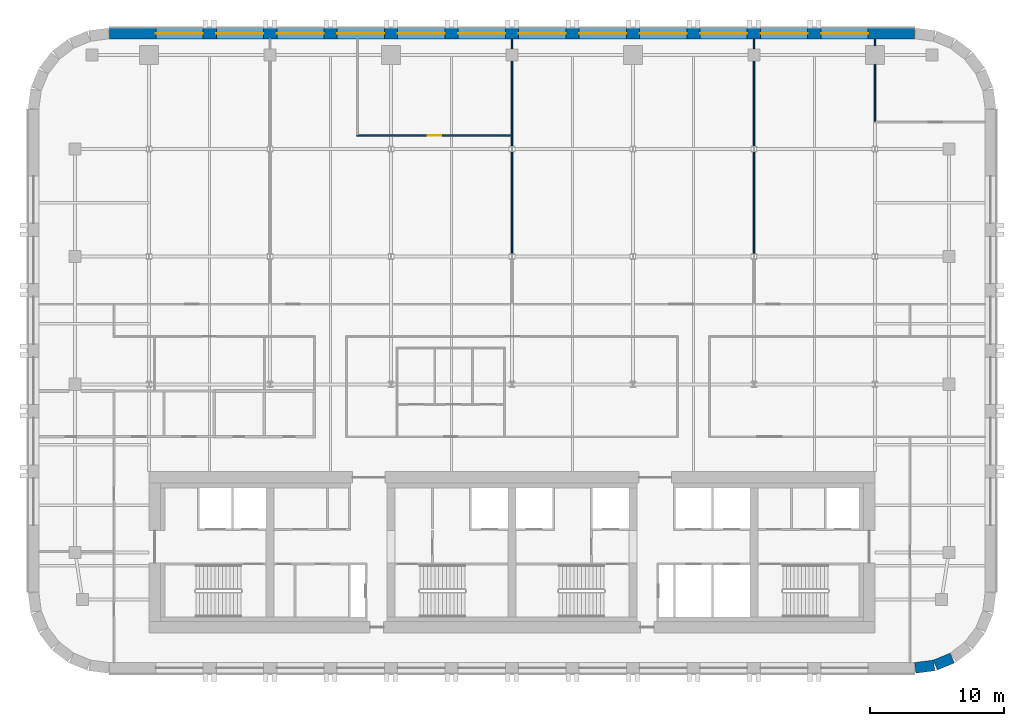
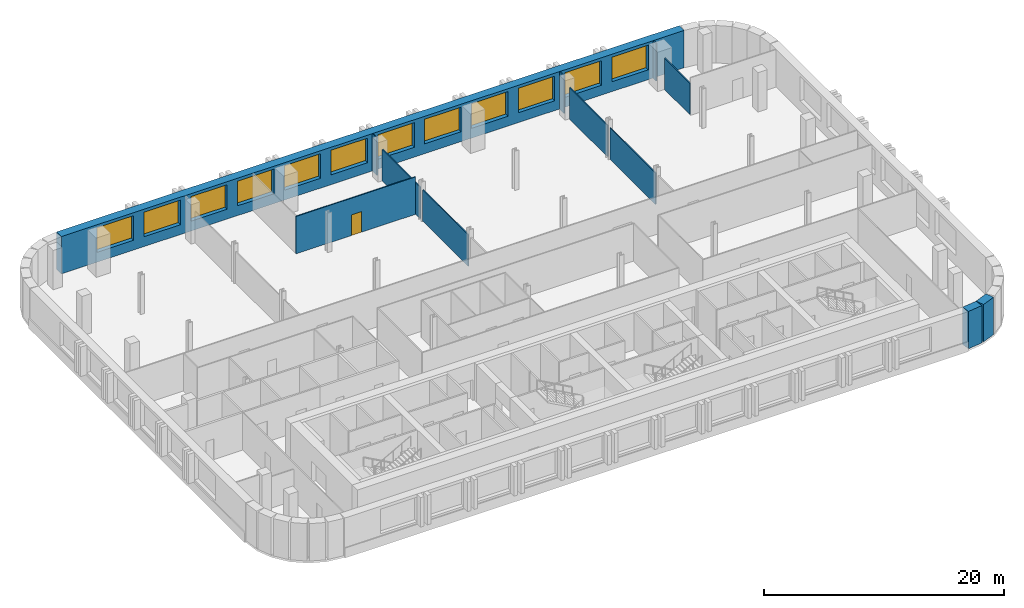
# One storey, part 7 of 10: 12 walls, 12 windows, 1 door, 13 openings.
"""IFC4 building model written with IfcOpenShell, lengths in metres."""

import ifcopenshell
import ifcopenshell.guid

model = None  # the IFC model being written
_history = None  # IfcOwnerHistory: only IFC2X3 demands one
_inside = {}  # id of a spatial element -> (the spatial element, [elements in it])
_under = {}  # id of a project, library or spatial element -> (it, [spatial elements below it])
_declared = {}  # id of a project -> (the project, [libraries it declares])
_typed = {}  # id of a type object -> (the type object, [elements of that type])
_made_of = {}  # id of a material, layer set ... -> (it, [elements and type objects made of it])


def new_model(schema):
    """Start an empty IFC model of exactly this schema.

    Asked for "IFC4X3", IfcOpenShell would pick the latest addendum, in which some entities
    have other attributes; the version numbers below select the first issue.
    IFC2X3 requires an IfcOwnerHistory on every rooted entity: one is made here for all.
    """
    global model, _history
    if schema == "IFC4X3":
        model = ifcopenshell.file(schema_version=(4, 3, 0, 0))
    else:
        model = ifcopenshell.file(schema=schema)
    _inside.clear()
    _under.clear()
    _declared.clear()
    _typed.clear()
    _made_of.clear()
    _history = None
    if model.schema == "IFC2X3":
        org = make("IfcOrganization", Name="unknown")
        user = make(
            "IfcPersonAndOrganization",
            ThePerson=make("IfcPerson", FamilyName="unknown"),
            TheOrganization=org,
        )
        app = make(
            "IfcApplication",
            ApplicationDeveloper=org,
            Version="unknown",
            ApplicationFullName="unknown",
            ApplicationIdentifier="unknown",
        )
        _history = make(
            "IfcOwnerHistory",
            OwningUser=user,
            OwningApplication=app,
            ChangeAction="ADDED",
            CreationDate=0,
        )
    return model


def make(cls, **values):
    """One entity of the class cls with the attributes given. An attribute that is None is left unset."""
    return model.create_entity(
        cls, **{name: value for name, value in values.items() if value is not None}
    )


def rooted(cls, **values):
    """An entity with a GlobalId (a new one), such as an element, a storey or a relation."""
    return make(cls, GlobalId=ifcopenshell.guid.new(), OwnerHistory=_history, **values)


def si_unit(unit_type, name, prefix=None):
    """IfcSIUnit, for example si_unit("LENGTHUNIT", "METRE", prefix="MILLI")."""
    return make("IfcSIUnit", UnitType=unit_type, Prefix=prefix, Name=name)


def assignment(units):
    """IfcUnitAssignment: the units of a project."""
    return None if units is None else make("IfcUnitAssignment", Units=units)


def point(xyz):
    """IfcCartesianPoint."""
    return None if xyz is None else make("IfcCartesianPoint", Coordinates=xyz)


def direction(xyz):
    """IfcDirection."""
    return None if xyz is None else make("IfcDirection", DirectionRatios=xyz)


def frame(location, z_axis=None, x_axis=None):
    """IfcAxis2Placement3D, a coordinate frame: its origin and axes. An axis left out is left unset."""
    return make(
        "IfcAxis2Placement3D",
        Location=point(location),
        Axis=direction(z_axis),
        RefDirection=direction(x_axis),
    )


def frame_2d(location, x_axis=None):
    """IfcAxis2Placement2D, a coordinate frame in the plane: its origin and x axis."""
    return make(
        "IfcAxis2Placement2D", Location=point(location), RefDirection=direction(x_axis)
    )


def origin():
    """The frame at (0, 0, 0) with its axes left unset."""
    return frame((0.0, 0.0, 0.0))


def place(relative_to, where):
    """IfcLocalPlacement: puts the frame where relative to a parent placement (None: the world)."""
    return make(
        "IfcLocalPlacement", PlacementRelTo=relative_to, RelativePlacement=where
    )


def context(
    kind, dimensions, precision=None, world=None, true_north=None, identifier=None
):
    """IfcGeometricRepresentationContext, for example the 3D "Model" context."""
    return make(
        "IfcGeometricRepresentationContext",
        ContextIdentifier=identifier,
        ContextType=kind,
        CoordinateSpaceDimension=dimensions,
        Precision=precision,
        WorldCoordinateSystem=world,
        TrueNorth=true_north,
    )


def subcontext(parent, identifier, kind, view, scale=None):
    """IfcGeometricRepresentationSubContext, for example "Body" below "Model"."""
    return make(
        "IfcGeometricRepresentationSubContext",
        ContextIdentifier=identifier,
        ContextType=kind,
        ParentContext=parent,
        TargetScale=scale,
        TargetView=view,
    )


def project(units=None, contexts=None):
    """IfcProject with its units and contexts."""
    return rooted(
        "IfcProject",
        Name="project",
        RepresentationContexts=contexts,
        UnitsInContext=assignment(units),
    )


def spatial(cls, under=None, at=None, **own):
    """A site, building, storey or space (cls), placed at a placement, below another one or the project."""
    s = rooted(cls, ObjectPlacement=at, **own)
    if under is not None:
        _under.setdefault(under.id(), (under, []))[1].append(s)
    return s


def profile(cls, at=None, kind="AREA", **sizes):
    """A parametric profile (cls). Its sizes go by their IFC names, for example OverallWidth=200.0."""
    return make(cls, ProfileType=kind, Position=at, **sizes)


def rectangle(**sizes):
    """IfcRectangleProfileDef."""
    return profile("IfcRectangleProfileDef", **sizes)


def extrude(swept, where, along, depth):
    """IfcExtrudedAreaSolid: the profile swept, set in the frame where, extruded along a direction by depth."""
    return make(
        "IfcExtrudedAreaSolid",
        SweptArea=swept,
        Position=where,
        ExtrudedDirection=direction(along),
        Depth=depth,
    )


def shape(context_of_items, identifier, shape_type, items):
    """IfcShapeRepresentation: the items that make up one representation, for example the "Body"."""
    return make(
        "IfcShapeRepresentation",
        ContextOfItems=context_of_items,
        RepresentationIdentifier=identifier,
        RepresentationType=shape_type,
        Items=items,
    )


def material(Name=None, Category=None):
    """IfcMaterial."""
    return make("IfcMaterial", Name=Name, Category=Category)


def layer(
    of_material, thickness, ventilated=None, Name=None, Category=None, Priority=None
):
    """IfcMaterialLayer: one layer of a wall or slab, of a material (None: an air gap)."""
    return make(
        "IfcMaterialLayer",
        Material=of_material,
        LayerThickness=thickness,
        IsVentilated=ventilated,
        Name=Name,
        Category=Category,
        Priority=Priority,
    )


def layer_set(layers, Name=None):
    """IfcMaterialLayerSet."""
    return make("IfcMaterialLayerSet", MaterialLayers=layers, LayerSetName=Name)


def made_of(thing, what):
    """Note that an element or type object is made of a material, layer set ...; save() writes the relation."""
    if what is not None:
        _made_of.setdefault(what.id(), (what, []))[1].append(thing)
    return thing


def type_object(cls, material=None, **own):
    """A type object (cls), such as IfcWallType, which elements share."""
    return made_of(rooted(cls, **own), material)


def element(
    cls,
    number,
    at=None,
    inside=None,
    cuts=None,
    type_object=None,
    material=None,
    context=None,
    identifier="Body",
    shape_type=None,
    held_by="IfcProductDefinitionShape",
    body=None,
    shapes=None,
    **own,
):
    """One element of the class cls, such as IfcWall. Its Tag is "e" and its number.

    at: its placement. inside: the storey or other place that contains it. cuts: it is an
    opening in that element (IfcRelVoidsElement). A single representation is given by context,
    identifier, shape_type and body (its items); several are given by shapes. held_by: the class
    of the entity that holds the representations. save() writes the other relations.
    """
    e = rooted(cls, Tag="e%d" % number, ObjectPlacement=at, **own)
    if body is not None:
        shapes = [shape(context, identifier, shape_type, body)]
    if shapes is not None:
        e.Representation = make(held_by, Representations=shapes)
    if inside is not None:
        _inside.setdefault(inside.id(), (inside, []))[1].append(e)
    if cuts is not None:
        rooted(
            "IfcRelVoidsElement", RelatingBuildingElement=cuts, RelatedOpeningElement=e
        )
    if type_object is not None:
        _typed.setdefault(type_object.id(), (type_object, []))[1].append(e)
    return made_of(e, material)


def fill(opening, filler):
    """IfcRelFillsElement: the door or window that sits in an opening."""
    return rooted(
        "IfcRelFillsElement",
        RelatingOpeningElement=opening,
        RelatedBuildingElement=filler,
    )


def aggregate(whole, parts):
    """IfcRelAggregates: a whole, such as a stair, and the parts it consists of."""
    return rooted("IfcRelAggregates", RelatingObject=whole, RelatedObjects=parts)


def save(model, path):
    """Write the relations noted so far, then the file.

    IfcRelAggregates (storeys below a building ...), IfcRelContainedInSpatialStructure (elements
    in a storey), IfcRelDefinesByType, IfcRelAssociatesMaterial and IfcRelDeclares: one each for
    every whole, place, type object, material and project.
    """
    for whole, parts in _under.values():
        aggregate(whole, parts)
    for where, things in _inside.values():
        rooted(
            "IfcRelContainedInSpatialStructure",
            RelatedElements=things,
            RelatingStructure=where,
        )
    for kind, things in _typed.values():
        rooted("IfcRelDefinesByType", RelatedObjects=things, RelatingType=kind)
    for what, things in _made_of.values():
        rooted("IfcRelAssociatesMaterial", RelatedObjects=things, RelatingMaterial=what)
    for by, libraries in _declared.values():
        rooted("IfcRelDeclares", RelatingContext=by, RelatedDefinitions=libraries)
    model.write(path)


model = new_model("IFC4")

# Units and contexts
model_context = context("Model", 3, precision=1e-05, world=origin(), true_north=direction((0.0, 1.0)))
body_context = subcontext(model_context, "Body", "Model", "MODEL_VIEW")
ifc_project = project(units=[si_unit("LENGTHUNIT", "METRE"), si_unit("AREAUNIT", "SQUARE_METRE"), si_unit("VOLUMEUNIT", "CUBIC_METRE"), si_unit("PLANEANGLEUNIT", "RADIAN"), si_unit("MASSUNIT", "GRAM", prefix="KILO")], contexts=[model_context])

# Site, building, storey
site_placement = place(None, origin())
site = spatial("IfcSite", under=ifc_project, at=site_placement, CompositionType="ELEMENT")
building_placement = place(site_placement, origin())
building = spatial("IfcBuilding", under=site, at=building_placement, Name="Zellij Exchange Tower", CompositionType="ELEMENT")
storey_placement = place(building_placement, frame((0.0, 0.0, 192.5)))
storey = spatial("IfcBuildingStorey", under=building, at=storey_placement, Name="L44", CompositionType="ELEMENT", Elevation=192.5)

# Walls
ifc_material_1 = material(Name="Precast concrete C40/50", Category="concrete")
ifc_layer_1 = layer(ifc_material_1, 0.800048828125)
ifc_layer_set_1 = layer_set([ifc_layer_1], Name="Precast concrete C40/50")
wall_type_1 = type_object("IfcWallType", Name="ENV-EW1 Precast stone-piered wall 800", PredefinedType="SOLIDWALL", material=ifc_layer_set_1)
wall_1_placement = place(storey_placement, frame((29.999755859375, -16.5966796875, 0.0), z_axis=(0.0, 0.0, 1.0), x_axis=(0.99144603414, 0.130517283865, 0.0)))
element("IfcWall", 1, at=wall_1_placement, inside=storey, type_object=wall_type_1, Name="fac.L44.01", PredefinedType="SOLIDWALL", context=body_context, shape_type="SweptSolid", body=[
    extrude(rectangle(XDim=1.408447265625, YDim=0.800048828125, at=frame_2d((0.7041015625, 0.0))), origin(), (0.0, 0.0, 1.0), 3.800048828125),
])
wall_2_placement = place(storey_placement, frame((31.497314453125, -16.3857421875, 0.0), z_axis=(0.0, 0.0, 1.0), x_axis=(0.923847774587, 0.38276009378, 0.0)))
element("IfcWall", 2, at=wall_2_placement, inside=storey, type_object=wall_type_1, Name="fac.L44.02", PredefinedType="SOLIDWALL", context=body_context, shape_type="SweptSolid", body=[
    extrude(rectangle(XDim=1.35546875, YDim=0.800048828125, at=frame_2d((0.677734375, 0.0))), origin(), (0.0, 0.0, 1.0), 3.800048828125),
])

# Wall, openings, windows
wall_3_placement = place(storey_placement, frame((29.947509765625, 30.60009765625, 0.0), z_axis=(0.0, 0.0, 1.0), x_axis=(-1.0, 0.0, 0.0)))
wall_3 = element("IfcWall", 3, at=wall_3_placement, inside=storey, type_object=wall_type_1, Name="fac.L44.14", PredefinedType="SOLIDWALL", context=body_context, shape_type="SweptSolid", body=[
    extrude(rectangle(XDim=59.89501953125, YDim=0.800048828125, at=frame_2d((29.947509765625, 0.0))), origin(), (0.0, 0.0, 1.0), 3.800048828125),
])
opening_1_placement = place(wall_3_placement, frame((3.447509765625, 0.0, 1.0)))
opening_1 = element("IfcOpeningElement", 4, at=opening_1_placement, cuts=wall_3, Name="Opening FZ3.19", PredefinedType="OPENING", context=body_context, shape_type="SweptSolid", body=[
    extrude(rectangle(XDim=3.5, YDim=2.5, at=frame_2d((1.75, 1.25))), frame((0.0, 0.412109375, 0.0), z_axis=(0.0, -1.0, 0.0), x_axis=(1.0, 0.0, 0.0)), (0.0, 0.0, 1.0), 0.823974609375),
])
opening_2_placement = place(wall_3_placement, frame((7.947509765625, 0.0, 1.0)))
opening_2 = element("IfcOpeningElement", 5, at=opening_2_placement, cuts=wall_3, Name="Opening FZ3.20", PredefinedType="OPENING", context=body_context, shape_type="SweptSolid", body=[
    extrude(rectangle(XDim=3.5, YDim=2.5, at=frame_2d((1.75, 1.25))), frame((0.0, 0.412109375, 0.0), z_axis=(0.0, -1.0, 0.0), x_axis=(1.0, 0.0, 0.0)), (0.0, 0.0, 1.0), 0.823974609375),
])
opening_3_placement = place(wall_3_placement, frame((12.447509765625, 0.0, 1.0)))
opening_3 = element("IfcOpeningElement", 6, at=opening_3_placement, cuts=wall_3, Name="Opening FZ3.21", PredefinedType="OPENING", context=body_context, shape_type="SweptSolid", body=[
    extrude(rectangle(XDim=3.5, YDim=2.5, at=frame_2d((1.75, 1.25))), frame((0.0, 0.412109375, 0.0), z_axis=(0.0, -1.0, 0.0), x_axis=(1.0, 0.0, 0.0)), (0.0, 0.0, 1.0), 0.823974609375),
])
opening_4_placement = place(wall_3_placement, frame((16.947509765625, 0.0, 1.0)))
opening_4 = element("IfcOpeningElement", 7, at=opening_4_placement, cuts=wall_3, Name="Opening FZ3.22", PredefinedType="OPENING", context=body_context, shape_type="SweptSolid", body=[
    extrude(rectangle(XDim=3.5, YDim=2.5, at=frame_2d((1.75, 1.25))), frame((0.0, 0.412109375, 0.0), z_axis=(0.0, -1.0, 0.0), x_axis=(1.0, 0.0, 0.0)), (0.0, 0.0, 1.0), 0.823974609375),
])
opening_5_placement = place(wall_3_placement, frame((21.447509765625, 0.0, 1.0)))
opening_5 = element("IfcOpeningElement", 8, at=opening_5_placement, cuts=wall_3, Name="Opening FZ3.23", PredefinedType="OPENING", context=body_context, shape_type="SweptSolid", body=[
    extrude(rectangle(XDim=3.5, YDim=2.5, at=frame_2d((1.75, 1.25))), frame((0.0, 0.412109375, 0.0), z_axis=(0.0, -1.0, 0.0), x_axis=(1.0, 0.0, 0.0)), (0.0, 0.0, 1.0), 0.823974609375),
])
opening_6_placement = place(wall_3_placement, frame((25.947509765625, 0.0, 1.0)))
opening_6 = element("IfcOpeningElement", 9, at=opening_6_placement, cuts=wall_3, Name="Opening FZ3.24", PredefinedType="OPENING", context=body_context, shape_type="SweptSolid", body=[
    extrude(rectangle(XDim=3.5, YDim=2.5, at=frame_2d((1.75, 1.25))), frame((0.0, 0.412109375, 0.0), z_axis=(0.0, -1.0, 0.0), x_axis=(1.0, 0.0, 0.0)), (0.0, 0.0, 1.0), 0.823974609375),
])
opening_7_placement = place(wall_3_placement, frame((30.447509765625, 0.0, 1.0)))
opening_7 = element("IfcOpeningElement", 10, at=opening_7_placement, cuts=wall_3, Name="Opening FZ3.25", PredefinedType="OPENING", context=body_context, shape_type="SweptSolid", body=[
    extrude(rectangle(XDim=3.5, YDim=2.5, at=frame_2d((1.75, 1.25))), frame((0.0, 0.412109375, 0.0), z_axis=(0.0, -1.0, 0.0), x_axis=(1.0, 0.0, 0.0)), (0.0, 0.0, 1.0), 0.823974609375),
])
opening_8_placement = place(wall_3_placement, frame((34.947509765625, 0.0, 1.0)))
opening_8 = element("IfcOpeningElement", 11, at=opening_8_placement, cuts=wall_3, Name="Opening FZ3.26", PredefinedType="OPENING", context=body_context, shape_type="SweptSolid", body=[
    extrude(rectangle(XDim=3.5, YDim=2.5, at=frame_2d((1.75, 1.25))), frame((0.0, 0.412109375, 0.0), z_axis=(0.0, -1.0, 0.0), x_axis=(1.0, 0.0, 0.0)), (0.0, 0.0, 1.0), 0.823974609375),
])
opening_9_placement = place(wall_3_placement, frame((39.447509765625, 0.0, 1.0)))
opening_9 = element("IfcOpeningElement", 12, at=opening_9_placement, cuts=wall_3, Name="Opening FZ3.27", PredefinedType="OPENING", context=body_context, shape_type="SweptSolid", body=[
    extrude(rectangle(XDim=3.5, YDim=2.5, at=frame_2d((1.75, 1.25))), frame((0.0, 0.412109375, 0.0), z_axis=(0.0, -1.0, 0.0), x_axis=(1.0, 0.0, 0.0)), (0.0, 0.0, 1.0), 0.823974609375),
])
opening_10_placement = place(wall_3_placement, frame((43.947509765625, 0.0, 1.0)))
opening_10 = element("IfcOpeningElement", 13, at=opening_10_placement, cuts=wall_3, Name="Opening FZ3.28", PredefinedType="OPENING", context=body_context, shape_type="SweptSolid", body=[
    extrude(rectangle(XDim=3.5, YDim=2.5, at=frame_2d((1.75, 1.25))), frame((0.0, 0.412109375, 0.0), z_axis=(0.0, -1.0, 0.0), x_axis=(1.0, 0.0, 0.0)), (0.0, 0.0, 1.0), 0.823974609375),
])
opening_11_placement = place(wall_3_placement, frame((48.447509765625, 0.0, 1.0)))
opening_11 = element("IfcOpeningElement", 14, at=opening_11_placement, cuts=wall_3, Name="Opening FZ3.29", PredefinedType="OPENING", context=body_context, shape_type="SweptSolid", body=[
    extrude(rectangle(XDim=3.5, YDim=2.5, at=frame_2d((1.75, 1.25))), frame((0.0, 0.412109375, 0.0), z_axis=(0.0, -1.0, 0.0), x_axis=(1.0, 0.0, 0.0)), (0.0, 0.0, 1.0), 0.823974609375),
])
opening_12_placement = place(wall_3_placement, frame((52.947509765625, 0.0, 1.0)))
opening_12 = element("IfcOpeningElement", 15, at=opening_12_placement, cuts=wall_3, Name="Opening FZ3.30", PredefinedType="OPENING", context=body_context, shape_type="SweptSolid", body=[
    extrude(rectangle(XDim=3.5, YDim=2.5, at=frame_2d((1.75, 1.25))), frame((0.0, 0.412109375, 0.0), z_axis=(0.0, -1.0, 0.0), x_axis=(1.0, 0.0, 0.0)), (0.0, 0.0, 1.0), 0.823974609375),
])
ifc_material_2 = material(Name="Aluminium frame with insulating glass", Category="aluminium")
window_type = type_object("IfcWindowType", Name="ENV-W1 Window 3500x2500", PartitioningType="SINGLE_PANEL", PredefinedType="WINDOW", material=ifc_material_2)
window_1_placement = place(opening_1_placement, origin())
window_1 = element("IfcWindow", 16, at=window_1_placement, inside=storey, type_object=window_type, Name="Window FZ3.19", OverallHeight=2.5, OverallWidth=3.5, PartitioningType="SINGLE_PANEL", PredefinedType="WINDOW", context=body_context, shape_type="SweptSolid", body=[
    extrude(rectangle(XDim=3.5, YDim=2.5, at=frame_2d((1.75, 1.25))), frame((0.0, 0.030029296875, 0.0), z_axis=(0.0, -1.0, 0.0), x_axis=(1.0, 0.0, 0.0)), (0.0, 0.0, 1.0), 0.06005859375),
])
fill(opening_1, window_1)
window_2_placement = place(opening_2_placement, origin())
window_2 = element("IfcWindow", 17, at=window_2_placement, inside=storey, type_object=window_type, Name="Window FZ3.20", OverallHeight=2.5, OverallWidth=3.5, PartitioningType="SINGLE_PANEL", PredefinedType="WINDOW", context=body_context, shape_type="SweptSolid", body=[
    extrude(rectangle(XDim=3.5, YDim=2.5, at=frame_2d((1.75, 1.25))), frame((0.0, 0.030029296875, 0.0), z_axis=(0.0, -1.0, 0.0), x_axis=(1.0, 0.0, 0.0)), (0.0, 0.0, 1.0), 0.06005859375),
])
fill(opening_2, window_2)
window_3_placement = place(opening_3_placement, origin())
window_3 = element("IfcWindow", 18, at=window_3_placement, inside=storey, type_object=window_type, Name="Window FZ3.21", OverallHeight=2.5, OverallWidth=3.5, PartitioningType="SINGLE_PANEL", PredefinedType="WINDOW", context=body_context, shape_type="SweptSolid", body=[
    extrude(rectangle(XDim=3.5, YDim=2.5, at=frame_2d((1.75, 1.25))), frame((0.0, 0.030029296875, 0.0), z_axis=(0.0, -1.0, 0.0), x_axis=(1.0, 0.0, 0.0)), (0.0, 0.0, 1.0), 0.06005859375),
])
fill(opening_3, window_3)
window_4_placement = place(opening_4_placement, origin())
window_4 = element("IfcWindow", 19, at=window_4_placement, inside=storey, type_object=window_type, Name="Window FZ3.22", OverallHeight=2.5, OverallWidth=3.5, PartitioningType="SINGLE_PANEL", PredefinedType="WINDOW", context=body_context, shape_type="SweptSolid", body=[
    extrude(rectangle(XDim=3.5, YDim=2.5, at=frame_2d((1.75, 1.25))), frame((0.0, 0.030029296875, 0.0), z_axis=(0.0, -1.0, 0.0), x_axis=(1.0, 0.0, 0.0)), (0.0, 0.0, 1.0), 0.06005859375),
])
fill(opening_4, window_4)
window_5_placement = place(opening_5_placement, origin())
window_5 = element("IfcWindow", 20, at=window_5_placement, inside=storey, type_object=window_type, Name="Window FZ3.23", OverallHeight=2.5, OverallWidth=3.5, PartitioningType="SINGLE_PANEL", PredefinedType="WINDOW", context=body_context, shape_type="SweptSolid", body=[
    extrude(rectangle(XDim=3.5, YDim=2.5, at=frame_2d((1.75, 1.25))), frame((0.0, 0.030029296875, 0.0), z_axis=(0.0, -1.0, 0.0), x_axis=(1.0, 0.0, 0.0)), (0.0, 0.0, 1.0), 0.06005859375),
])
fill(opening_5, window_5)
window_6_placement = place(opening_6_placement, origin())
window_6 = element("IfcWindow", 21, at=window_6_placement, inside=storey, type_object=window_type, Name="Window FZ3.24", OverallHeight=2.5, OverallWidth=3.5, PartitioningType="SINGLE_PANEL", PredefinedType="WINDOW", context=body_context, shape_type="SweptSolid", body=[
    extrude(rectangle(XDim=3.5, YDim=2.5, at=frame_2d((1.75, 1.25))), frame((0.0, 0.030029296875, 0.0), z_axis=(0.0, -1.0, 0.0), x_axis=(1.0, 0.0, 0.0)), (0.0, 0.0, 1.0), 0.06005859375),
])
fill(opening_6, window_6)
window_7_placement = place(opening_7_placement, origin())
window_7 = element("IfcWindow", 22, at=window_7_placement, inside=storey, type_object=window_type, Name="Window FZ3.25", OverallHeight=2.5, OverallWidth=3.5, PartitioningType="SINGLE_PANEL", PredefinedType="WINDOW", context=body_context, shape_type="SweptSolid", body=[
    extrude(rectangle(XDim=3.5, YDim=2.5, at=frame_2d((1.75, 1.25))), frame((0.0, 0.030029296875, 0.0), z_axis=(0.0, -1.0, 0.0), x_axis=(1.0, 0.0, 0.0)), (0.0, 0.0, 1.0), 0.06005859375),
])
fill(opening_7, window_7)
window_8_placement = place(opening_8_placement, origin())
window_8 = element("IfcWindow", 23, at=window_8_placement, inside=storey, type_object=window_type, Name="Window FZ3.26", OverallHeight=2.5, OverallWidth=3.5, PartitioningType="SINGLE_PANEL", PredefinedType="WINDOW", context=body_context, shape_type="SweptSolid", body=[
    extrude(rectangle(XDim=3.5, YDim=2.5, at=frame_2d((1.75, 1.25))), frame((0.0, 0.030029296875, 0.0), z_axis=(0.0, -1.0, 0.0), x_axis=(1.0, 0.0, 0.0)), (0.0, 0.0, 1.0), 0.06005859375),
])
fill(opening_8, window_8)
window_9_placement = place(opening_9_placement, origin())
window_9 = element("IfcWindow", 24, at=window_9_placement, inside=storey, type_object=window_type, Name="Window FZ3.27", OverallHeight=2.5, OverallWidth=3.5, PartitioningType="SINGLE_PANEL", PredefinedType="WINDOW", context=body_context, shape_type="SweptSolid", body=[
    extrude(rectangle(XDim=3.5, YDim=2.5, at=frame_2d((1.75, 1.25))), frame((0.0, 0.030029296875, 0.0), z_axis=(0.0, -1.0, 0.0), x_axis=(1.0, 0.0, 0.0)), (0.0, 0.0, 1.0), 0.06005859375),
])
fill(opening_9, window_9)
window_10_placement = place(opening_10_placement, origin())
window_10 = element("IfcWindow", 25, at=window_10_placement, inside=storey, type_object=window_type, Name="Window FZ3.28", OverallHeight=2.5, OverallWidth=3.5, PartitioningType="SINGLE_PANEL", PredefinedType="WINDOW", context=body_context, shape_type="SweptSolid", body=[
    extrude(rectangle(XDim=3.5, YDim=2.5, at=frame_2d((1.75, 1.25))), frame((0.0, 0.030029296875, 0.0), z_axis=(0.0, -1.0, 0.0), x_axis=(1.0, 0.0, 0.0)), (0.0, 0.0, 1.0), 0.06005859375),
])
fill(opening_10, window_10)
window_11_placement = place(opening_11_placement, origin())
window_11 = element("IfcWindow", 26, at=window_11_placement, inside=storey, type_object=window_type, Name="Window FZ3.29", OverallHeight=2.5, OverallWidth=3.5, PartitioningType="SINGLE_PANEL", PredefinedType="WINDOW", context=body_context, shape_type="SweptSolid", body=[
    extrude(rectangle(XDim=3.5, YDim=2.5, at=frame_2d((1.75, 1.25))), frame((0.0, 0.030029296875, 0.0), z_axis=(0.0, -1.0, 0.0), x_axis=(1.0, 0.0, 0.0)), (0.0, 0.0, 1.0), 0.06005859375),
])
fill(opening_11, window_11)
window_12_placement = place(opening_12_placement, origin())
window_12 = element("IfcWindow", 27, at=window_12_placement, inside=storey, type_object=window_type, Name="Window FZ3.30", OverallHeight=2.5, OverallWidth=3.5, PartitioningType="SINGLE_PANEL", PredefinedType="WINDOW", context=body_context, shape_type="SweptSolid", body=[
    extrude(rectangle(XDim=3.5, YDim=2.5, at=frame_2d((1.75, 1.25))), frame((0.0, 0.030029296875, 0.0), z_axis=(0.0, -1.0, 0.0), x_axis=(1.0, 0.0, 0.0)), (0.0, 0.0, 1.0), 0.06005859375),
])
fill(opening_12, window_12)

# Walls
ifc_material_3 = material(Name="Gypsum board partition on steel studs", Category="steel")
ifc_layer_2 = layer(ifc_material_3, 0.10009765625)
ifc_layer_set_2 = layer_set([ifc_layer_2], Name="Gypsum board partition on steel studs")
wall_type_2 = type_object("IfcWallType", Name="FIT-PARTITION-100", PredefinedType="PARTITIONING", material=ifc_layer_set_2)
wall_4_placement = place(storey_placement, frame((0.0, 14.212158203125, 0.0), z_axis=(0.0, 0.0, 1.0), x_axis=(0.0, 1.0, 0.0)))
element("IfcWall", 28, at=wall_4_placement, inside=storey, type_object=wall_type_2, Name="FIT-PARTITION-100 042", PredefinedType="PARTITIONING", context=body_context, shape_type="SweptSolid", body=[
    extrude(rectangle(XDim=7.57568359375, YDim=0.10009765625, at=frame_2d((3.787841796875, 0.0))), origin(), (0.0, 0.0, 1.0), 3.19287109375),
])
wall_5_placement = place(storey_placement, frame((0.0, 22.212158203125, 0.0), z_axis=(0.0, 0.0, 1.0), x_axis=(0.0, 1.0, 0.0)))
element("IfcWall", 29, at=wall_5_placement, inside=storey, type_object=wall_type_2, Name="FIT-PARTITION-100 043", PredefinedType="PARTITIONING", context=body_context, shape_type="SweptSolid", body=[
    extrude(rectangle(XDim=6.337890625, YDim=0.10009765625, at=frame_2d((3.1689453125, 0.0))), origin(), (0.0, 0.0, 1.0), 3.19287109375),
])
wall_6_placement = place(storey_placement, frame((0.0, 29.449951171875, 0.0), z_axis=(0.0, 0.0, 1.0), x_axis=(0.0, 1.0, 0.0)))
element("IfcWall", 30, at=wall_6_placement, inside=storey, type_object=wall_type_2, Name="FIT-PARTITION-100 044", PredefinedType="PARTITIONING", context=body_context, shape_type="SweptSolid", body=[
    extrude(rectangle(XDim=0.75, YDim=0.10009765625, at=frame_2d((0.375, 0.0))), origin(), (0.0, 0.0, 1.0), 3.800048828125),
])
wall_7_placement = place(storey_placement, frame((18.0, 14.212158203125, 0.0), z_axis=(0.0, 0.0, 1.0), x_axis=(0.0, 1.0, 0.0)))
element("IfcWall", 31, at=wall_7_placement, inside=storey, type_object=wall_type_2, Name="FIT-PARTITION-100 046", PredefinedType="PARTITIONING", context=body_context, shape_type="SweptSolid", body=[
    extrude(rectangle(XDim=7.57568359375, YDim=0.10009765625, at=frame_2d((3.787841796875, 0.0))), origin(), (0.0, 0.0, 1.0), 3.19287109375),
])
wall_8_placement = place(storey_placement, frame((18.0, 22.212158203125, 0.0), z_axis=(0.0, 0.0, 1.0), x_axis=(0.0, 1.0, 0.0)))
element("IfcWall", 32, at=wall_8_placement, inside=storey, type_object=wall_type_2, Name="FIT-PARTITION-100 047", PredefinedType="PARTITIONING", context=body_context, shape_type="SweptSolid", body=[
    extrude(rectangle(XDim=6.337890625, YDim=0.10009765625, at=frame_2d((3.1689453125, 0.0))), origin(), (0.0, 0.0, 1.0), 3.19287109375),
])
wall_9_placement = place(storey_placement, frame((18.0, 29.449951171875, 0.0), z_axis=(0.0, 0.0, 1.0), x_axis=(0.0, 1.0, 0.0)))
element("IfcWall", 33, at=wall_9_placement, inside=storey, type_object=wall_type_2, Name="FIT-PARTITION-100 048", PredefinedType="PARTITIONING", context=body_context, shape_type="SweptSolid", body=[
    extrude(rectangle(XDim=0.75, YDim=0.10009765625, at=frame_2d((0.375, 0.0))), origin(), (0.0, 0.0, 1.0), 3.800048828125),
])

# Wall, opening, door
wall_10_placement = place(storey_placement, frame((-11.550048828125, 23.0, 0.0), z_axis=(0.0, 0.0, 1.0), x_axis=(1.0, 0.0, 0.0)))
wall_10 = element("IfcWall", 34, at=wall_10_placement, inside=storey, type_object=wall_type_2, Name="FIT-PARTITION-100 049", PredefinedType="PARTITIONING", context=body_context, shape_type="SweptSolid", body=[
    extrude(rectangle(XDim=11.5, YDim=0.10009765625, at=frame_2d((5.75, 0.0))), origin(), (0.0, 0.0, 1.0), 3.800048828125),
])
opening_13_placement = place(wall_10_placement, frame((5.300048828125, 0.0, 0.0)))
opening_13 = element("IfcOpeningElement", 35, at=opening_13_placement, cuts=wall_10, Name="Opening O3C.20", PredefinedType="OPENING", context=body_context, shape_type="SweptSolid", body=[
    extrude(rectangle(XDim=1.0, YDim=2.10009765625, at=frame_2d((0.5, 1.050048828125))), frame((0.0, 0.06201171875, 0.0), z_axis=(0.0, -1.0, 0.0), x_axis=(1.0, 0.0, 0.0)), (0.0, 0.0, 1.0), 0.1240234375),
])
ifc_material_4 = material(Name="Timber door set", Category="wood")
door_type = type_object("IfcDoorType", Name="FIT-D2-WIDE-1000X2100", OperationType="SINGLE_SWING_LEFT", PredefinedType="DOOR", material=ifc_material_4)
door_placement = place(opening_13_placement, origin())
door = element("IfcDoor", 36, at=door_placement, inside=storey, type_object=door_type, Name="Door O3C.20", OperationType="SINGLE_SWING_RIGHT", OverallHeight=2.10009765625, OverallWidth=1.0, PredefinedType="DOOR", context=body_context, shape_type="SweptSolid", body=[
    extrude(rectangle(XDim=1.0, YDim=2.10009765625, at=frame_2d((0.5, 1.050048828125))), frame((0.0, 0.02490234375, 0.0), z_axis=(0.0, -1.0, 0.0), x_axis=(1.0, 0.0, 0.0)), (0.0, 0.0, 1.0), 0.050048828125),
])
fill(opening_13, door)

# Walls
wall_11_placement = place(storey_placement, frame((27.0, 24.050048828125, 0.0), z_axis=(0.0, 0.0, 1.0), x_axis=(0.0, 1.0, 0.0)))
element("IfcWall", 37, at=wall_11_placement, inside=storey, type_object=wall_type_2, Name="FIT-PARTITION-100 052", PredefinedType="PARTITIONING", context=body_context, shape_type="SweptSolid", body=[
    extrude(rectangle(XDim=4.25, YDim=0.10009765625, at=frame_2d((2.125, 0.0))), origin(), (0.0, 0.0, 1.0), 3.19287109375),
])
wall_12_placement = place(storey_placement, frame((27.0, 29.699951171875, 0.0), z_axis=(0.0, 0.0, 1.0), x_axis=(0.0, 1.0, 0.0)))
element("IfcWall", 38, at=wall_12_placement, inside=storey, type_object=wall_type_2, Name="FIT-PARTITION-100 053", PredefinedType="PARTITIONING", context=body_context, shape_type="SweptSolid", body=[
    extrude(rectangle(XDim=0.5, YDim=0.10009765625, at=frame_2d((0.25, 0.0))), origin(), (0.0, 0.0, 1.0), 3.800048828125),
])

save(model, "model.ifc")
